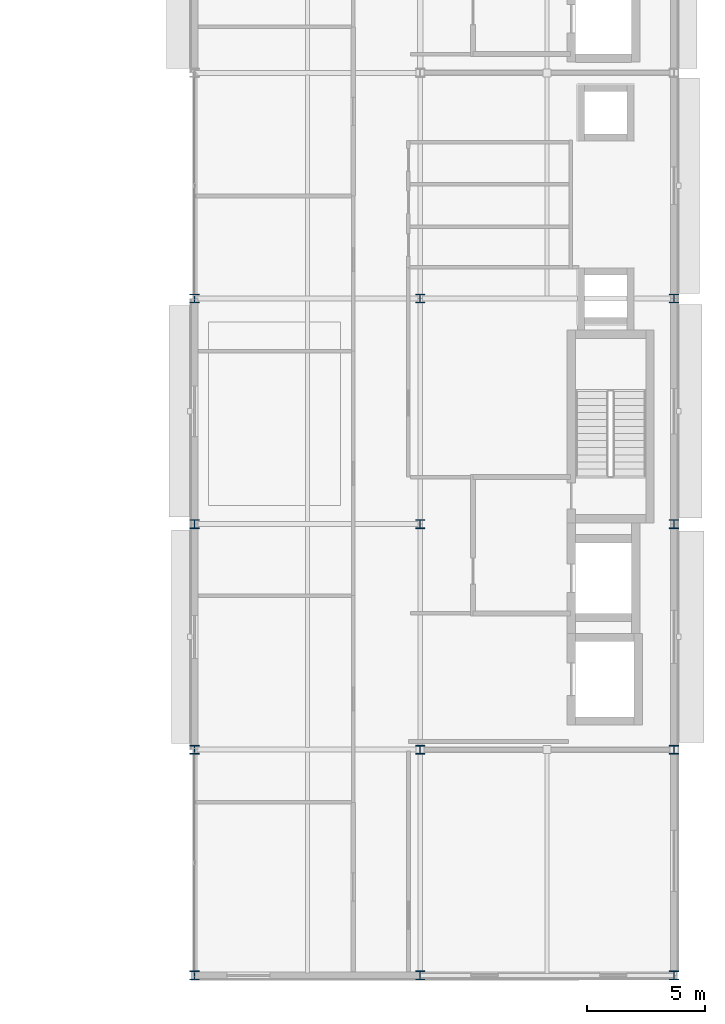
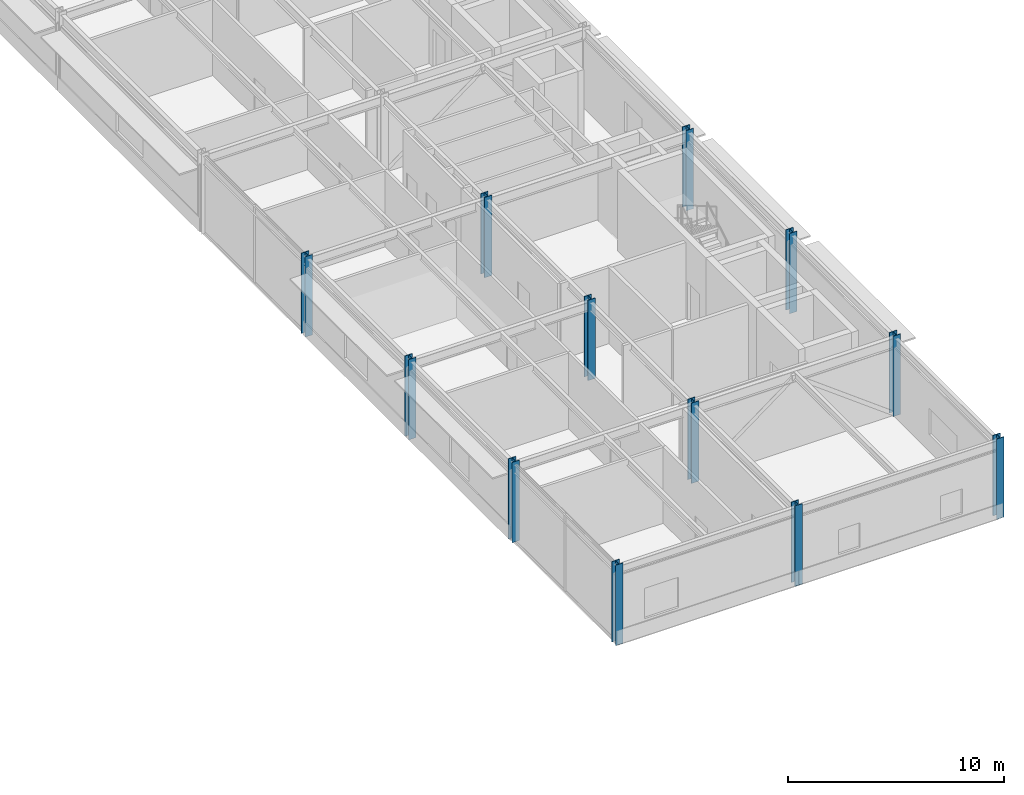
# One storey, part 13 of 116: 12 columns.
"""IFC4 building model written with IfcOpenShell, lengths in metres."""

import ifcopenshell
import ifcopenshell.guid

model = None  # the IFC model being written
_history = None  # IfcOwnerHistory: only IFC2X3 demands one
_inside = {}  # id of a spatial element -> (the spatial element, [elements in it])
_under = {}  # id of a project, library or spatial element -> (it, [spatial elements below it])
_declared = {}  # id of a project -> (the project, [libraries it declares])
_typed = {}  # id of a type object -> (the type object, [elements of that type])
_made_of = {}  # id of a material, layer set ... -> (it, [elements and type objects made of it])


def new_model(schema):
    """Start an empty IFC model of exactly this schema.

    Asked for "IFC4X3", IfcOpenShell would pick the latest addendum, in which some entities
    have other attributes; the version numbers below select the first issue.
    IFC2X3 requires an IfcOwnerHistory on every rooted entity: one is made here for all.
    """
    global model, _history
    if schema == "IFC4X3":
        model = ifcopenshell.file(schema_version=(4, 3, 0, 0))
    else:
        model = ifcopenshell.file(schema=schema)
    _inside.clear()
    _under.clear()
    _declared.clear()
    _typed.clear()
    _made_of.clear()
    _history = None
    if model.schema == "IFC2X3":
        org = make("IfcOrganization", Name="unknown")
        user = make(
            "IfcPersonAndOrganization",
            ThePerson=make("IfcPerson", FamilyName="unknown"),
            TheOrganization=org,
        )
        app = make(
            "IfcApplication",
            ApplicationDeveloper=org,
            Version="unknown",
            ApplicationFullName="unknown",
            ApplicationIdentifier="unknown",
        )
        _history = make(
            "IfcOwnerHistory",
            OwningUser=user,
            OwningApplication=app,
            ChangeAction="ADDED",
            CreationDate=0,
        )
    return model


def make(cls, **values):
    """One entity of the class cls with the attributes given. An attribute that is None is left unset."""
    return model.create_entity(
        cls, **{name: value for name, value in values.items() if value is not None}
    )


def rooted(cls, **values):
    """An entity with a GlobalId (a new one), such as an element, a storey or a relation."""
    return make(cls, GlobalId=ifcopenshell.guid.new(), OwnerHistory=_history, **values)


def si_unit(unit_type, name, prefix=None):
    """IfcSIUnit, for example si_unit("LENGTHUNIT", "METRE", prefix="MILLI")."""
    return make("IfcSIUnit", UnitType=unit_type, Prefix=prefix, Name=name)


def assignment(units):
    """IfcUnitAssignment: the units of a project."""
    return None if units is None else make("IfcUnitAssignment", Units=units)


def point(xyz):
    """IfcCartesianPoint."""
    return None if xyz is None else make("IfcCartesianPoint", Coordinates=xyz)


def direction(xyz):
    """IfcDirection."""
    return None if xyz is None else make("IfcDirection", DirectionRatios=xyz)


def frame(location, z_axis=None, x_axis=None):
    """IfcAxis2Placement3D, a coordinate frame: its origin and axes. An axis left out is left unset."""
    return make(
        "IfcAxis2Placement3D",
        Location=point(location),
        Axis=direction(z_axis),
        RefDirection=direction(x_axis),
    )


def frame_2d(location, x_axis=None):
    """IfcAxis2Placement2D, a coordinate frame in the plane: its origin and x axis."""
    return make(
        "IfcAxis2Placement2D", Location=point(location), RefDirection=direction(x_axis)
    )


def origin():
    """The frame at (0, 0, 0) with its axes left unset."""
    return frame((0.0, 0.0, 0.0))


def origin_2d():
    """The frame at (0, 0) in the plane with its x axis left unset."""
    return frame_2d((0.0, 0.0))


def place(relative_to, where):
    """IfcLocalPlacement: puts the frame where relative to a parent placement (None: the world)."""
    return make(
        "IfcLocalPlacement", PlacementRelTo=relative_to, RelativePlacement=where
    )


def context(
    kind, dimensions, precision=None, world=None, true_north=None, identifier=None
):
    """IfcGeometricRepresentationContext, for example the 3D "Model" context."""
    return make(
        "IfcGeometricRepresentationContext",
        ContextIdentifier=identifier,
        ContextType=kind,
        CoordinateSpaceDimension=dimensions,
        Precision=precision,
        WorldCoordinateSystem=world,
        TrueNorth=true_north,
    )


def subcontext(parent, identifier, kind, view, scale=None):
    """IfcGeometricRepresentationSubContext, for example "Body" below "Model"."""
    return make(
        "IfcGeometricRepresentationSubContext",
        ContextIdentifier=identifier,
        ContextType=kind,
        ParentContext=parent,
        TargetScale=scale,
        TargetView=view,
    )


def project(units=None, contexts=None):
    """IfcProject with its units and contexts."""
    return rooted(
        "IfcProject",
        Name="project",
        RepresentationContexts=contexts,
        UnitsInContext=assignment(units),
    )


def spatial(cls, under=None, at=None, **own):
    """A site, building, storey or space (cls), placed at a placement, below another one or the project."""
    s = rooted(cls, ObjectPlacement=at, **own)
    if under is not None:
        _under.setdefault(under.id(), (under, []))[1].append(s)
    return s


def profile(cls, at=None, kind="AREA", **sizes):
    """A parametric profile (cls). Its sizes go by their IFC names, for example OverallWidth=200.0."""
    return make(cls, ProfileType=kind, Position=at, **sizes)


def i_section(**sizes):
    """IfcIShapeProfileDef."""
    return profile("IfcIShapeProfileDef", **sizes)


def extrude(swept, where, along, depth):
    """IfcExtrudedAreaSolid: the profile swept, set in the frame where, extruded along a direction by depth."""
    return make(
        "IfcExtrudedAreaSolid",
        SweptArea=swept,
        Position=where,
        ExtrudedDirection=direction(along),
        Depth=depth,
    )


def shape(context_of_items, identifier, shape_type, items):
    """IfcShapeRepresentation: the items that make up one representation, for example the "Body"."""
    return make(
        "IfcShapeRepresentation",
        ContextOfItems=context_of_items,
        RepresentationIdentifier=identifier,
        RepresentationType=shape_type,
        Items=items,
    )


def material(Name=None, Category=None):
    """IfcMaterial."""
    return make("IfcMaterial", Name=Name, Category=Category)


def material_profile(
    of_material, cross_section, Name=None, Category=None, Priority=None
):
    """IfcMaterialProfile: a cross section and its material."""
    return make(
        "IfcMaterialProfile",
        Name=Name,
        Material=of_material,
        Profile=cross_section,
        Priority=Priority,
        Category=Category,
    )


def profile_set(profiles, Name=None, composite=None):
    """IfcMaterialProfileSet."""
    return make(
        "IfcMaterialProfileSet",
        Name=Name,
        MaterialProfiles=profiles,
        CompositeProfile=composite,
    )


def made_of(thing, what):
    """Note that an element or type object is made of a material, layer set ...; save() writes the relation."""
    if what is not None:
        _made_of.setdefault(what.id(), (what, []))[1].append(thing)
    return thing


def type_object(cls, material=None, **own):
    """A type object (cls), such as IfcWallType, which elements share."""
    return made_of(rooted(cls, **own), material)


def element(
    cls,
    number,
    at=None,
    inside=None,
    cuts=None,
    type_object=None,
    material=None,
    context=None,
    identifier="Body",
    shape_type=None,
    held_by="IfcProductDefinitionShape",
    body=None,
    shapes=None,
    **own,
):
    """One element of the class cls, such as IfcWall. Its Tag is "e" and its number.

    at: its placement. inside: the storey or other place that contains it. cuts: it is an
    opening in that element (IfcRelVoidsElement). A single representation is given by context,
    identifier, shape_type and body (its items); several are given by shapes. held_by: the class
    of the entity that holds the representations. save() writes the other relations.
    """
    e = rooted(cls, Tag="e%d" % number, ObjectPlacement=at, **own)
    if body is not None:
        shapes = [shape(context, identifier, shape_type, body)]
    if shapes is not None:
        e.Representation = make(held_by, Representations=shapes)
    if inside is not None:
        _inside.setdefault(inside.id(), (inside, []))[1].append(e)
    if cuts is not None:
        rooted(
            "IfcRelVoidsElement", RelatingBuildingElement=cuts, RelatedOpeningElement=e
        )
    if type_object is not None:
        _typed.setdefault(type_object.id(), (type_object, []))[1].append(e)
    return made_of(e, material)


def aggregate(whole, parts):
    """IfcRelAggregates: a whole, such as a stair, and the parts it consists of."""
    return rooted("IfcRelAggregates", RelatingObject=whole, RelatedObjects=parts)


def save(model, path):
    """Write the relations noted so far, then the file.

    IfcRelAggregates (storeys below a building ...), IfcRelContainedInSpatialStructure (elements
    in a storey), IfcRelDefinesByType, IfcRelAssociatesMaterial and IfcRelDeclares: one each for
    every whole, place, type object, material and project.
    """
    for whole, parts in _under.values():
        aggregate(whole, parts)
    for where, things in _inside.values():
        rooted(
            "IfcRelContainedInSpatialStructure",
            RelatedElements=things,
            RelatingStructure=where,
        )
    for kind, things in _typed.values():
        rooted("IfcRelDefinesByType", RelatedObjects=things, RelatingType=kind)
    for what, things in _made_of.values():
        rooted("IfcRelAssociatesMaterial", RelatedObjects=things, RelatingMaterial=what)
    for by, libraries in _declared.values():
        rooted("IfcRelDeclares", RelatingContext=by, RelatedDefinitions=libraries)
    model.write(path)


model = new_model("IFC4")

# Units and contexts
model_context = context("Model", 3, precision=1e-05, world=origin(), true_north=direction((0.0, 1.0)))
body_context = subcontext(model_context, "Body", "Model", "MODEL_VIEW")
ifc_project = project(units=[si_unit("LENGTHUNIT", "METRE"), si_unit("AREAUNIT", "SQUARE_METRE"), si_unit("VOLUMEUNIT", "CUBIC_METRE"), si_unit("PLANEANGLEUNIT", "RADIAN"), si_unit("MASSUNIT", "GRAM", prefix="KILO")], contexts=[model_context])

# Site, building, storey
site_placement = place(None, origin())
site = spatial("IfcSite", under=ifc_project, at=site_placement, CompositionType="ELEMENT")
building_placement = place(site_placement, origin())
building = spatial("IfcBuilding", under=site, at=building_placement, Name="Almandine Court Research Institute", CompositionType="ELEMENT")
storey_placement = place(building_placement, frame((0.0, 0.0, 14.35009765625)))
storey = spatial("IfcBuildingStorey", under=building, at=storey_placement, Name="L03", CompositionType="ELEMENT", Elevation=14.35009765625)

# Columns
ifc_material = material(Name="Steel ASTM A992 Grade 50", Category="steel")
ifc_material_profile_1 = material_profile(ifc_material, i_section(OverallWidth=0.39404296875, OverallDepth=0.375, WebThickness=0.02001953125, FlangeThickness=0.031982421875, at=origin_2d()), Name="W360x216")
ifc_profile_set_1 = profile_set([ifc_material_profile_1], Name="Steel ASTM A992 Grade 50")
column_type_1 = type_object("IfcColumnType", Name="Col-C-W02", PredefinedType="COLUMN", material=ifc_profile_set_1)
for number, where, z_axis, x_axis, name in (
    (1, (153.60009765625, 15.60009765625, 0.0), (0.0, 0.0, 1.0), (1.0, 0.0, 0.0), "L03 V4 Column V4-X2Y2"),
    (2, (153.60009765625, 25.199951171875, 0.0), (0.0, 0.0, 1.0), (1.0, 0.0, 0.0), "L03 V4 Column V4-X2Y3"),
    (3, (153.60009765625, 34.800048828125, 0.0), (0.0, 0.0, 1.0), (1.0, 0.0, 0.0), "L03 V4 Column V4-X2Y4"),
    (4, (163.199951171875, 15.60009765625, 0.0), (0.0, 0.0, 1.0), (1.0, 0.0, 0.0), "L03 V4 Column V4-X3Y2"),
    (5, (163.199951171875, 25.199951171875, 0.0), (0.0, 0.0, 1.0), (1.0, 0.0, 0.0), "L03 V4 Column V4-X3Y3"),
    (6, (163.199951171875, 34.800048828125, 0.0), (0.0, 0.0, 1.0), (1.0, 0.0, 0.0), "L03 V4 Column V4-X3Y4"),
):
    element("IfcColumn", number, at=place(storey_placement, frame(where, z_axis=z_axis, x_axis=x_axis)), inside=storey, type_object=column_type_1, Name=name, PredefinedType="COLUMN", context=body_context, shape_type="SweptSolid", body=[
        extrude(i_section(OverallWidth=0.39404296875, OverallDepth=0.375, WebThickness=0.02001953125, FlangeThickness=0.031982421875, at=origin_2d()), origin(), (0.0, 0.0, 1.0), 4.5498046875),
    ])
ifc_material_profile_2 = material_profile(ifc_material, i_section(OverallWidth=0.39404296875, OverallDepth=0.375, WebThickness=0.02001953125, FlangeThickness=0.031982421875, at=origin_2d()), Name="W360x216")
ifc_profile_set_2 = profile_set([ifc_material_profile_2], Name="Steel ASTM A992 Grade 50")
column_type_2 = type_object("IfcColumnType", Name="Col-C-W02-E", PredefinedType="COLUMN", material=ifc_profile_set_2)
for number, where, z_axis, x_axis, name in (
    (7, (153.60009765625, 6.0, 0.0), (0.0, 0.0, 1.0), (1.0, 0.0, 0.0), "L03 V4 Column V4-X2Y1"),
    (8, (163.199951171875, 6.0, 0.0), (0.0, 0.0, 1.0), (1.0, 0.0, 0.0), "L03 V4 Column V4-X3Y1"),
    (9, (174.0, 6.0, 0.0), (0.0, 0.0, 1.0), (1.0, 0.0, 0.0), "L03 V4 Column V4-X4Y1"),
    (10, (174.0, 15.60009765625, 0.0), (0.0, 0.0, 1.0), (1.0, 0.0, 0.0), "L03 V4 Column V4-X4Y2"),
    (11, (174.0, 25.199951171875, 0.0), (0.0, 0.0, 1.0), (1.0, 0.0, 0.0), "L03 V4 Column V4-X4Y3"),
    (12, (174.0, 34.800048828125, 0.0), (0.0, 0.0, 1.0), (1.0, 0.0, 0.0), "L03 V4 Column V4-X4Y4"),
):
    element("IfcColumn", number, at=place(storey_placement, frame(where, z_axis=z_axis, x_axis=x_axis)), inside=storey, type_object=column_type_2, Name=name, PredefinedType="COLUMN", context=body_context, shape_type="SweptSolid", body=[
        extrude(i_section(OverallWidth=0.39404296875, OverallDepth=0.375, WebThickness=0.02001953125, FlangeThickness=0.031982421875, at=origin_2d()), origin(), (0.0, 0.0, 1.0), 4.5498046875),
    ])

save(model, "model.ifc")
